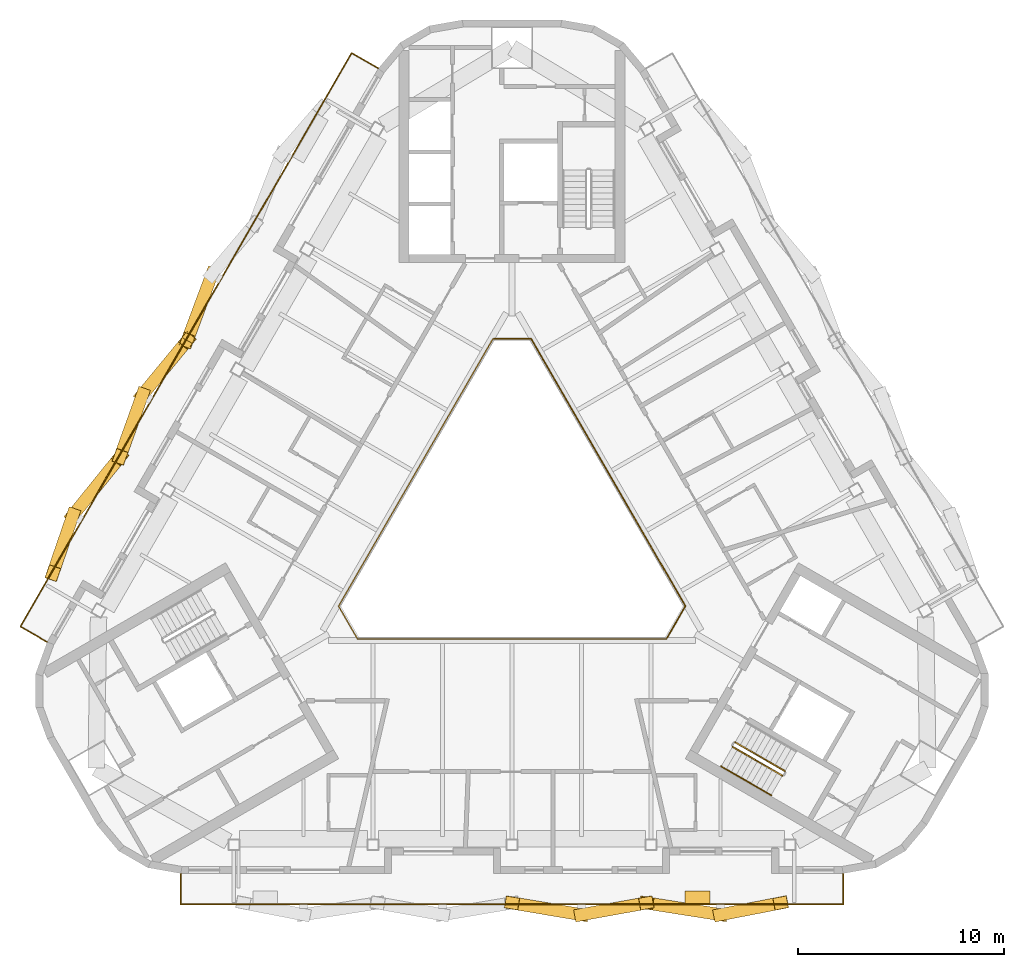
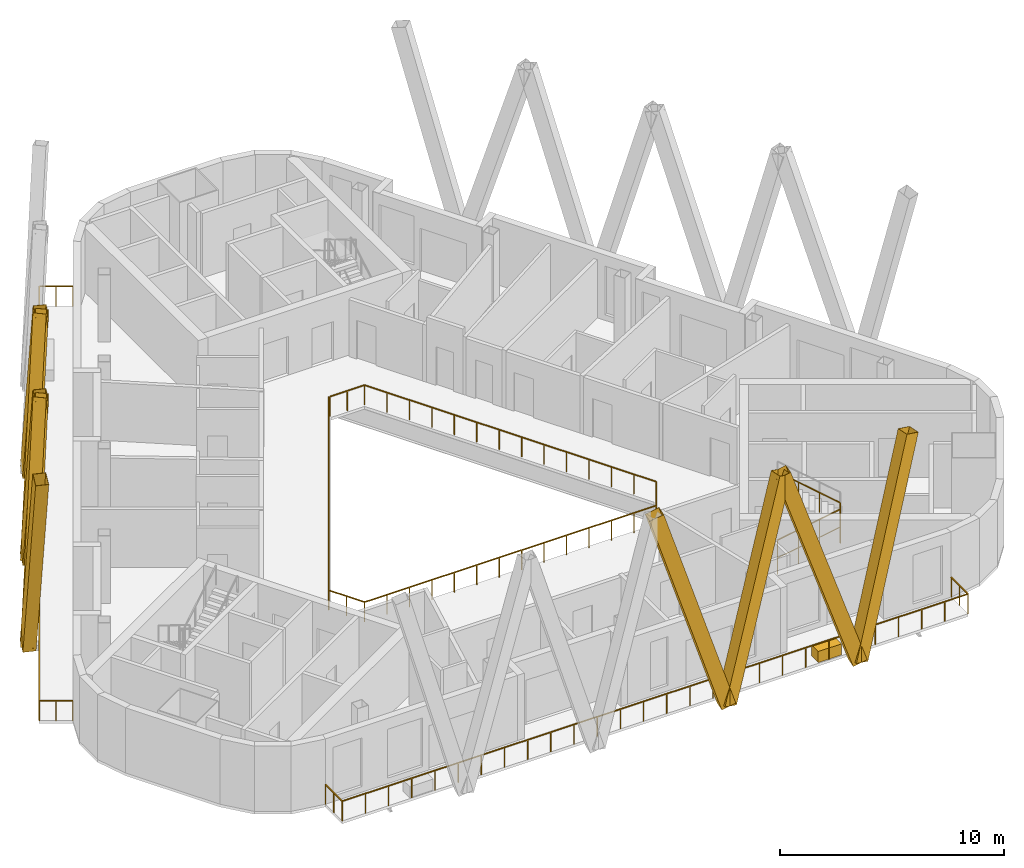
# One storey, part 10 of 12: 9 shading devices, 7 railings, 1 covering.
"""IFC4 building model written with IfcOpenShell, lengths in metres."""

import ifcopenshell
import ifcopenshell.guid

model = None  # the IFC model being written
_history = None  # IfcOwnerHistory: only IFC2X3 demands one
_inside = {}  # id of a spatial element -> (the spatial element, [elements in it])
_under = {}  # id of a project, library or spatial element -> (it, [spatial elements below it])
_declared = {}  # id of a project -> (the project, [libraries it declares])
_typed = {}  # id of a type object -> (the type object, [elements of that type])
_made_of = {}  # id of a material, layer set ... -> (it, [elements and type objects made of it])


def new_model(schema):
    """Start an empty IFC model of exactly this schema.

    Asked for "IFC4X3", IfcOpenShell would pick the latest addendum, in which some entities
    have other attributes; the version numbers below select the first issue.
    IFC2X3 requires an IfcOwnerHistory on every rooted entity: one is made here for all.
    """
    global model, _history
    if schema == "IFC4X3":
        model = ifcopenshell.file(schema_version=(4, 3, 0, 0))
    else:
        model = ifcopenshell.file(schema=schema)
    _inside.clear()
    _under.clear()
    _declared.clear()
    _typed.clear()
    _made_of.clear()
    _history = None
    if model.schema == "IFC2X3":
        org = make("IfcOrganization", Name="unknown")
        user = make(
            "IfcPersonAndOrganization",
            ThePerson=make("IfcPerson", FamilyName="unknown"),
            TheOrganization=org,
        )
        app = make(
            "IfcApplication",
            ApplicationDeveloper=org,
            Version="unknown",
            ApplicationFullName="unknown",
            ApplicationIdentifier="unknown",
        )
        _history = make(
            "IfcOwnerHistory",
            OwningUser=user,
            OwningApplication=app,
            ChangeAction="ADDED",
            CreationDate=0,
        )
    return model


def make(cls, **values):
    """One entity of the class cls with the attributes given. An attribute that is None is left unset."""
    return model.create_entity(
        cls, **{name: value for name, value in values.items() if value is not None}
    )


def rooted(cls, **values):
    """An entity with a GlobalId (a new one), such as an element, a storey or a relation."""
    return make(cls, GlobalId=ifcopenshell.guid.new(), OwnerHistory=_history, **values)


def si_unit(unit_type, name, prefix=None):
    """IfcSIUnit, for example si_unit("LENGTHUNIT", "METRE", prefix="MILLI")."""
    return make("IfcSIUnit", UnitType=unit_type, Prefix=prefix, Name=name)


def assignment(units):
    """IfcUnitAssignment: the units of a project."""
    return None if units is None else make("IfcUnitAssignment", Units=units)


def point(xyz):
    """IfcCartesianPoint."""
    return None if xyz is None else make("IfcCartesianPoint", Coordinates=xyz)


def direction(xyz):
    """IfcDirection."""
    return None if xyz is None else make("IfcDirection", DirectionRatios=xyz)


def frame(location, z_axis=None, x_axis=None):
    """IfcAxis2Placement3D, a coordinate frame: its origin and axes. An axis left out is left unset."""
    return make(
        "IfcAxis2Placement3D",
        Location=point(location),
        Axis=direction(z_axis),
        RefDirection=direction(x_axis),
    )


def frame_2d(location, x_axis=None):
    """IfcAxis2Placement2D, a coordinate frame in the plane: its origin and x axis."""
    return make(
        "IfcAxis2Placement2D", Location=point(location), RefDirection=direction(x_axis)
    )


def origin():
    """The frame at (0, 0, 0) with its axes left unset."""
    return frame((0.0, 0.0, 0.0))


def origin_2d():
    """The frame at (0, 0) in the plane with its x axis left unset."""
    return frame_2d((0.0, 0.0))


def place(relative_to, where):
    """IfcLocalPlacement: puts the frame where relative to a parent placement (None: the world)."""
    return make(
        "IfcLocalPlacement", PlacementRelTo=relative_to, RelativePlacement=where
    )


def context(
    kind, dimensions, precision=None, world=None, true_north=None, identifier=None
):
    """IfcGeometricRepresentationContext, for example the 3D "Model" context."""
    return make(
        "IfcGeometricRepresentationContext",
        ContextIdentifier=identifier,
        ContextType=kind,
        CoordinateSpaceDimension=dimensions,
        Precision=precision,
        WorldCoordinateSystem=world,
        TrueNorth=true_north,
    )


def subcontext(parent, identifier, kind, view, scale=None):
    """IfcGeometricRepresentationSubContext, for example "Body" below "Model"."""
    return make(
        "IfcGeometricRepresentationSubContext",
        ContextIdentifier=identifier,
        ContextType=kind,
        ParentContext=parent,
        TargetScale=scale,
        TargetView=view,
    )


def project(units=None, contexts=None):
    """IfcProject with its units and contexts."""
    return rooted(
        "IfcProject",
        Name="project",
        RepresentationContexts=contexts,
        UnitsInContext=assignment(units),
    )


def spatial(cls, under=None, at=None, **own):
    """A site, building, storey or space (cls), placed at a placement, below another one or the project."""
    s = rooted(cls, ObjectPlacement=at, **own)
    if under is not None:
        _under.setdefault(under.id(), (under, []))[1].append(s)
    return s


def profile(cls, at=None, kind="AREA", **sizes):
    """A parametric profile (cls). Its sizes go by their IFC names, for example OverallWidth=200.0."""
    return make(cls, ProfileType=kind, Position=at, **sizes)


def rectangle(**sizes):
    """IfcRectangleProfileDef."""
    return profile("IfcRectangleProfileDef", **sizes)


def hollow_rectangle(**sizes):
    """IfcRectangleHollowProfileDef."""
    return profile("IfcRectangleHollowProfileDef", **sizes)


def circle(**sizes):
    """IfcCircleProfileDef."""
    return profile("IfcCircleProfileDef", **sizes)


def extrude(swept, where, along, depth):
    """IfcExtrudedAreaSolid: the profile swept, set in the frame where, extruded along a direction by depth."""
    return make(
        "IfcExtrudedAreaSolid",
        SweptArea=swept,
        Position=where,
        ExtrudedDirection=direction(along),
        Depth=depth,
    )


def shape(context_of_items, identifier, shape_type, items):
    """IfcShapeRepresentation: the items that make up one representation, for example the "Body"."""
    return make(
        "IfcShapeRepresentation",
        ContextOfItems=context_of_items,
        RepresentationIdentifier=identifier,
        RepresentationType=shape_type,
        Items=items,
    )


def material(Name=None, Category=None):
    """IfcMaterial."""
    return make("IfcMaterial", Name=Name, Category=Category)


def material_profile(
    of_material, cross_section, Name=None, Category=None, Priority=None
):
    """IfcMaterialProfile: a cross section and its material."""
    return make(
        "IfcMaterialProfile",
        Name=Name,
        Material=of_material,
        Profile=cross_section,
        Priority=Priority,
        Category=Category,
    )


def profile_set(profiles, Name=None, composite=None):
    """IfcMaterialProfileSet."""
    return make(
        "IfcMaterialProfileSet",
        Name=Name,
        MaterialProfiles=profiles,
        CompositeProfile=composite,
    )


def made_of(thing, what):
    """Note that an element or type object is made of a material, layer set ...; save() writes the relation."""
    if what is not None:
        _made_of.setdefault(what.id(), (what, []))[1].append(thing)
    return thing


def type_object(cls, material=None, **own):
    """A type object (cls), such as IfcWallType, which elements share."""
    return made_of(rooted(cls, **own), material)


def element(
    cls,
    number,
    at=None,
    inside=None,
    cuts=None,
    type_object=None,
    material=None,
    context=None,
    identifier="Body",
    shape_type=None,
    held_by="IfcProductDefinitionShape",
    body=None,
    shapes=None,
    **own,
):
    """One element of the class cls, such as IfcWall. Its Tag is "e" and its number.

    at: its placement. inside: the storey or other place that contains it. cuts: it is an
    opening in that element (IfcRelVoidsElement). A single representation is given by context,
    identifier, shape_type and body (its items); several are given by shapes. held_by: the class
    of the entity that holds the representations. save() writes the other relations.
    """
    e = rooted(cls, Tag="e%d" % number, ObjectPlacement=at, **own)
    if body is not None:
        shapes = [shape(context, identifier, shape_type, body)]
    if shapes is not None:
        e.Representation = make(held_by, Representations=shapes)
    if inside is not None:
        _inside.setdefault(inside.id(), (inside, []))[1].append(e)
    if cuts is not None:
        rooted(
            "IfcRelVoidsElement", RelatingBuildingElement=cuts, RelatedOpeningElement=e
        )
    if type_object is not None:
        _typed.setdefault(type_object.id(), (type_object, []))[1].append(e)
    return made_of(e, material)


def aggregate(whole, parts):
    """IfcRelAggregates: a whole, such as a stair, and the parts it consists of."""
    return rooted("IfcRelAggregates", RelatingObject=whole, RelatedObjects=parts)


def save(model, path):
    """Write the relations noted so far, then the file.

    IfcRelAggregates (storeys below a building ...), IfcRelContainedInSpatialStructure (elements
    in a storey), IfcRelDefinesByType, IfcRelAssociatesMaterial and IfcRelDeclares: one each for
    every whole, place, type object, material and project.
    """
    for whole, parts in _under.values():
        aggregate(whole, parts)
    for where, things in _inside.values():
        rooted(
            "IfcRelContainedInSpatialStructure",
            RelatedElements=things,
            RelatingStructure=where,
        )
    for kind, things in _typed.values():
        rooted("IfcRelDefinesByType", RelatedObjects=things, RelatingType=kind)
    for what, things in _made_of.values():
        rooted("IfcRelAssociatesMaterial", RelatedObjects=things, RelatingMaterial=what)
    for by, libraries in _declared.values():
        rooted("IfcRelDeclares", RelatingContext=by, RelatedDefinitions=libraries)
    model.write(path)


model = new_model("IFC4")

# Units and contexts
model_context = context("Model", 3, precision=1e-05, world=origin(), true_north=direction((0.0, 1.0)))
body_context = subcontext(model_context, "Body", "Model", "MODEL_VIEW")
ifc_project = project(units=[si_unit("LENGTHUNIT", "METRE"), si_unit("AREAUNIT", "SQUARE_METRE"), si_unit("VOLUMEUNIT", "CUBIC_METRE"), si_unit("PLANEANGLEUNIT", "RADIAN"), si_unit("MASSUNIT", "GRAM", prefix="KILO")], contexts=[model_context])

# Site, building, storey
site_placement = place(None, origin())
site = spatial("IfcSite", under=ifc_project, at=site_placement, CompositionType="ELEMENT")
building_placement = place(site_placement, origin())
building = spatial("IfcBuilding", under=site, at=building_placement, Name="Apuvela Tower Hotel", CompositionType="ELEMENT")
storey_placement = place(building_placement, frame((0.0, 0.0, 302.199951171875)))
storey = spatial("IfcBuildingStorey", under=building, at=storey_placement, Name="L75", CompositionType="ELEMENT", Elevation=302.199951171875)

# Railings
ifc_material_1 = material(Name="Steel S275 balustrade", Category="steel")
railing_type_1 = type_object("IfcRailingType", Name="COR-GUARD-1100", PredefinedType="GUARDRAIL", material=ifc_material_1)
railing_1_placement = place(storey_placement, frame((10.718994140625, -10.63427734375, 0.168212890625)))
element("IfcRailing", 1, at=railing_1_placement, inside=storey, type_object=railing_type_1, Name="L75 ST3 stair guard 1", PredefinedType="GUARDRAIL", context=body_context, shape_type="SweptSolid", body=[
    extrude(rectangle(XDim=0.048095703125, YDim=0.048095703125, at=origin_2d()), frame((0.0, 0.0, 1.076171875), z_axis=(0.742390482028, -0.42860119049, 0.514934356695), x_axis=(0.49998411664, 0.866034573852, 0.0)), (0.0, 0.0, 1.0), 3.26611328125),
    extrude(rectangle(XDim=0.0419921875, YDim=0.0419921875, at=origin_2d()), origin(), (0.0, 0.0, 1.0), 1.052001953125),
    extrude(rectangle(XDim=0.0419921875, YDim=0.0419921875, at=origin_2d()), frame((0.808349609375, -0.466552734375, 0.560546875)), (0.0, 0.0, 1.0), 1.052001953125),
    extrude(rectangle(XDim=0.0419921875, YDim=0.0419921875, at=origin_2d()), frame((1.616455078125, -0.933349609375, 1.121337890625)), (0.0, 0.0, 1.0), 1.052001953125),
    extrude(rectangle(XDim=0.0419921875, YDim=0.0419921875, at=origin_2d()), frame((2.4248046875, -1.39990234375, 1.681884765625)), (0.0, 0.0, 1.0), 1.052001953125),
])
railing_2_placement = place(storey_placement, frame((13.268798828125, -11.817626953125, 2.018310546875)))
element("IfcRailing", 2, at=railing_2_placement, inside=storey, type_object=railing_type_1, Name="L75 ST3 stair guard 3", PredefinedType="GUARDRAIL", context=body_context, shape_type="SweptSolid", body=[
    extrude(rectangle(XDim=0.048095703125, YDim=0.048095703125, at=origin_2d()), frame((0.0, 0.0, 1.076171875), z_axis=(-0.74241905619, 0.428617687091, 0.514879426), x_axis=(-0.49998411664, -0.866034573852, 0.0)), (0.0, 0.0, 1.0), 3.26611328125),
    extrude(rectangle(XDim=0.0419921875, YDim=0.0419921875, at=origin_2d()), origin(), (0.0, 0.0, 1.0), 1.052001953125),
    extrude(rectangle(XDim=0.0419921875, YDim=0.0419921875, at=origin_2d()), frame((-0.808349609375, 0.466552734375, 0.560546875)), (0.0, 0.0, 1.0), 1.052001953125),
    extrude(rectangle(XDim=0.0419921875, YDim=0.0419921875, at=origin_2d()), frame((-1.616455078125, 0.933349609375, 1.12109375)), (0.0, 0.0, 1.0), 1.052001953125),
    extrude(rectangle(XDim=0.0419921875, YDim=0.0419921875, at=origin_2d()), frame((-2.4248046875, 1.39990234375, 1.681640625)), (0.0, 0.0, 1.0), 1.052001953125),
])
ifc_material_2 = material(Name="Stainless steel 316 handrail", Category="steel")
railing_type_2 = type_object("IfcRailingType", Name="COR-HANDRAIL-900", PredefinedType="HANDRAIL", material=ifc_material_2)
railing_3_placement = place(storey_placement, frame((10.1689453125, -11.5869140625, 0.168212890625)))
element("IfcRailing", 3, at=railing_3_placement, inside=storey, type_object=railing_type_2, Name="L75 ST3 stair handrail 1", PredefinedType="HANDRAIL", context=body_context, shape_type="SweptSolid", body=[
    extrude(circle(Radius=0.02392578125, at=origin_2d()), frame((0.0, 0.0, 0.8759765625), z_axis=(0.742390482028, -0.42860119049, 0.514934356695), x_axis=(0.49998411664, 0.866034573852, 0.0)), (0.0, 0.0, 1.0), 3.26611328125),
    extrude(rectangle(XDim=0.0419921875, YDim=0.0419921875, at=origin_2d()), origin(), (0.0, 0.0, 1.0), 0.851806640625),
    extrude(rectangle(XDim=0.0419921875, YDim=0.0419921875, at=origin_2d()), frame((0.808349609375, -0.466552734375, 0.560546875)), (0.0, 0.0, 1.0), 0.851806640625),
    extrude(rectangle(XDim=0.0419921875, YDim=0.0419921875, at=origin_2d()), frame((1.616455078125, -0.933349609375, 1.121337890625)), (0.0, 0.0, 1.0), 0.851806640625),
    extrude(rectangle(XDim=0.0419921875, YDim=0.0419921875, at=origin_2d()), frame((2.4248046875, -1.39990234375, 1.681884765625)), (0.0, 0.0, 1.0), 0.851806640625),
])

# Shading devices
ifc_material_3 = material(Name="Aluminium 6063-T6, black anodised", Category="aluminium")
ifc_material_profile = material_profile(ifc_material_3, hollow_rectangle(XDim=0.60009765625, YDim=0.699951171875, WallThickness=0.011962890625, at=origin_2d()), Name="AL BOX 700x600x12")
ifc_profile_set = profile_set([ifc_material_profile], Name="Aluminium 6063-T6, black anodised")
shading_device_type = type_object("IfcShadingDeviceType", Name="ENV-FIN-700x600", PredefinedType="USERDEFINED", material=ifc_profile_set)
shading_device_1_placement = place(storey_placement, frame((3.37939453125, -18.794677734375, -0.099853515625), z_axis=(-0.29090724775, 0.048820801656, 0.95550484171), x_axis=(-0.165508034258, -0.986208441759, 0.0)))
element("IfcShadingDevice", 4, at=shading_device_1_placement, inside=storey, type_object=shading_device_type, Name="Lattice fin S637", ObjectType="FIN", PredefinedType="USERDEFINED", context=body_context, shape_type="SweptSolid", body=[
    extrude(hollow_rectangle(XDim=0.60009765625, YDim=0.699951171875, WallThickness=0.011962890625, at=origin_2d()), origin(), (0.0, 0.0, 1.0), 11.61669921875),
])
shading_device_2_placement = place(storey_placement, frame((3.37939453125, -18.794677734375, -0.099853515625), z_axis=(0.272787362394, 0.049092426622, 0.960820997151), x_axis=(-0.177120502638, 0.984189172642, 0.0)))
element("IfcShadingDevice", 5, at=shading_device_2_placement, inside=storey, type_object=shading_device_type, Name="Lattice fin S638", ObjectType="FIN", PredefinedType="USERDEFINED", context=body_context, shape_type="SweptSolid", body=[
    extrude(hollow_rectangle(XDim=0.60009765625, YDim=0.699951171875, WallThickness=0.011962890625, at=origin_2d()), origin(), (0.0, 0.0, 1.0), 11.552490234375),
])
shading_device_3_placement = place(storey_placement, frame((10.13818359375, -18.794677734375, -0.099853515625), z_axis=(-0.308719444667, 0.048535142797, 0.949914019477), x_axis=(-0.155306806884, -0.98786628434, 0.0)))
element("IfcShadingDevice", 6, at=shading_device_3_placement, inside=storey, type_object=shading_device_type, Name="Lattice fin S639", ObjectType="FIN", PredefinedType="USERDEFINED", context=body_context, shape_type="SweptSolid", body=[
    extrude(hollow_rectangle(XDim=0.60009765625, YDim=0.699951171875, WallThickness=0.011962890625, at=origin_2d()), origin(), (0.0, 0.0, 1.0), 11.68505859375),
])
shading_device_4_placement = place(storey_placement, frame((10.13818359375, -18.794677734375, -0.099853515625), z_axis=(0.254352614293, 0.049349463209, 0.965851633577), x_axis=(-0.190468033427, 0.981693398288, 0.0)))
element("IfcShadingDevice", 7, at=shading_device_4_placement, inside=storey, type_object=shading_device_type, Name="Lattice fin S640", ObjectType="FIN", PredefinedType="USERDEFINED", context=body_context, shape_type="SweptSolid", body=[
    extrude(hollow_rectangle(XDim=0.60009765625, YDim=0.699951171875, WallThickness=0.011962890625, at=origin_2d()), origin(), (0.0, 0.0, 1.0), 11.4921875),
])
for number, where, z_axis, x_axis, name in (
    (8, (-14.5869140625, 12.323974609375, -0.099853515625), (-0.103168947098, -0.276343142267, 0.955505434875), (0.936840580907, -0.349756666794, 0.0), "Lattice fin NW696"),
    (9, (-17.96630859375, 6.470703125, -0.099853515625), (0.187738220747, 0.227521994606, 0.955504109066), (-0.771319065559, 0.636448661799, 0.0), "Lattice fin NW697"),
):
    element("IfcShadingDevice", number, at=place(storey_placement, frame(where, z_axis=z_axis, x_axis=x_axis)), inside=storey, type_object=shading_device_type, Name=name, ObjectType="FIN", PredefinedType="USERDEFINED", context=body_context, shape_type="SweptSolid", body=[
        extrude(hollow_rectangle(XDim=0.60009765625, YDim=0.699951171875, WallThickness=0.011962890625, at=origin_2d()), origin(), (0.0, 0.0, 1.0), 11.61669921875),
    ])
shading_device_5_placement = place(storey_placement, frame((-17.96630859375, 6.470703125, -0.099853515625), z_axis=(-0.09387380237, -0.260784043505, 0.960822247808), x_axis=(0.940897131448, -0.338692468225, 0.0)))
element("IfcShadingDevice", 10, at=shading_device_5_placement, inside=storey, type_object=shading_device_type, Name="Lattice fin NW698", ObjectType="FIN", PredefinedType="USERDEFINED", context=body_context, shape_type="SweptSolid", body=[
    extrude(hollow_rectangle(XDim=0.60009765625, YDim=0.699951171875, WallThickness=0.011962890625, at=origin_2d()), origin(), (0.0, 0.0, 1.0), 11.552490234375),
])
shading_device_6_placement = place(storey_placement, frame((-21.345703125, 0.6171875, -0.099853515625), z_axis=(0.196395762307, 0.243112881936, 0.949907801413), x_axis=(-0.777885876447, 0.628405572242, 0.0)))
element("IfcShadingDevice", 11, at=shading_device_6_placement, inside=storey, type_object=shading_device_type, Name="Lattice fin NW699", ObjectType="FIN", PredefinedType="USERDEFINED", context=body_context, shape_type="SweptSolid", body=[
    extrude(hollow_rectangle(XDim=0.60009765625, YDim=0.699951171875, WallThickness=0.011962890625, at=origin_2d()), origin(), (0.0, 0.0, 1.0), 11.685302734375),
])
shading_device_7_placement = place(storey_placement, frame((-21.345703125, 0.6171875, -0.099853515625), z_axis=(-0.084444446708, -0.244942005167, 0.965853275361), x_axis=(0.945394763347, -0.32592750948, 0.0)))
element("IfcShadingDevice", 12, at=shading_device_7_placement, inside=storey, type_object=shading_device_type, Name="Lattice fin NW700", ObjectType="FIN", PredefinedType="USERDEFINED", context=body_context, shape_type="SweptSolid", body=[
    extrude(hollow_rectangle(XDim=0.60009765625, YDim=0.699951171875, WallThickness=0.011962890625, at=origin_2d()), origin(), (0.0, 0.0, 1.0), 11.4921875),
])

# Railings
ifc_material_4 = material(Name="Stainless steel 316 rail with laminated glass infill", Category="steel")
railing_type_3 = type_object("IfcRailingType", Name="ENV-GUARD-1100", PredefinedType="GUARDRAIL", material=ifc_material_4)
railing_4_placement = place(storey_placement, frame((-16.097900390625, -16.794677734375, 0.0)))
element("IfcRailing", 13, at=railing_4_placement, inside=storey, type_object=railing_type_3, Name="Balcony guard S L75", PredefinedType="GUARDRAIL", context=body_context, shape_type="SweptSolid", body=[
    extrude(rectangle(XDim=0.050048828125, YDim=0.050048828125, at=origin_2d()), frame((0.0, 0.0, 1.0751953125), z_axis=(0.0, -1.0, 0.0), x_axis=(1.0, 0.0, 0.0)), (0.0, 0.0, 1.0), 1.5),
    extrude(rectangle(XDim=0.050048828125, YDim=0.050048828125, at=origin_2d()), frame((0.0, -1.5, 1.0751953125), z_axis=(1.0, 0.0, 0.0), x_axis=(0.0, 1.0, 0.0)), (0.0, 0.0, 1.0), 32.19580078125),
    extrude(rectangle(XDim=0.050048828125, YDim=0.050048828125, at=origin_2d()), frame((32.19580078125, -1.5, 1.0751953125), z_axis=(0.0, 1.0, 0.0), x_axis=(-1.0, 0.0, 0.0)), (0.0, 0.0, 1.0), 1.5),
    extrude(rectangle(XDim=0.0400390625, YDim=0.0400390625, at=origin_2d()), origin(), (0.0, 0.0, 1.0), 1.050048828125),
    extrude(rectangle(XDim=0.0400390625, YDim=0.0400390625, at=origin_2d()), frame((0.0, -0.75, 0.0)), (0.0, 0.0, 1.0), 1.050048828125),
    extrude(rectangle(XDim=0.0400390625, YDim=0.0400390625, at=origin_2d()), frame((0.0, -1.5, 0.0)), (0.0, 0.0, 1.0), 1.050048828125),
    extrude(rectangle(XDim=0.0400390625, YDim=0.0400390625, at=origin_2d()), frame((1.1923828125, -1.5, 0.0)), (0.0, 0.0, 1.0), 1.050048828125),
    extrude(rectangle(XDim=0.0400390625, YDim=0.0400390625, at=origin_2d()), frame((2.384765625, -1.5, 0.0)), (0.0, 0.0, 1.0), 1.050048828125),
    extrude(rectangle(XDim=0.0400390625, YDim=0.0400390625, at=origin_2d()), frame((3.577392578125, -1.5, 0.0)), (0.0, 0.0, 1.0), 1.050048828125),
    extrude(rectangle(XDim=0.0400390625, YDim=0.0400390625, at=origin_2d()), frame((4.769775390625, -1.5, 0.0)), (0.0, 0.0, 1.0), 1.050048828125),
    extrude(rectangle(XDim=0.0400390625, YDim=0.0400390625, at=origin_2d()), frame((5.962158203125, -1.5, 0.0)), (0.0, 0.0, 1.0), 1.050048828125),
    extrude(rectangle(XDim=0.0400390625, YDim=0.0400390625, at=origin_2d()), frame((7.154541015625, -1.5, 0.0)), (0.0, 0.0, 1.0), 1.050048828125),
    extrude(rectangle(XDim=0.0400390625, YDim=0.0400390625, at=origin_2d()), frame((8.34716796875, -1.5, 0.0)), (0.0, 0.0, 1.0), 1.050048828125),
    extrude(rectangle(XDim=0.0400390625, YDim=0.0400390625, at=origin_2d()), frame((9.53955078125, -1.5, 0.0)), (0.0, 0.0, 1.0), 1.050048828125),
    extrude(rectangle(XDim=0.0400390625, YDim=0.0400390625, at=origin_2d()), frame((10.73193359375, -1.5, 0.0)), (0.0, 0.0, 1.0), 1.050048828125),
    extrude(rectangle(XDim=0.0400390625, YDim=0.0400390625, at=origin_2d()), frame((11.92431640625, -1.5, 0.0)), (0.0, 0.0, 1.0), 1.050048828125),
    extrude(rectangle(XDim=0.0400390625, YDim=0.0400390625, at=origin_2d()), frame((13.11669921875, -1.5, 0.0)), (0.0, 0.0, 1.0), 1.050048828125),
    extrude(rectangle(XDim=0.0400390625, YDim=0.0400390625, at=origin_2d()), frame((14.309326171875, -1.5, 0.0)), (0.0, 0.0, 1.0), 1.050048828125),
    extrude(rectangle(XDim=0.0400390625, YDim=0.0400390625, at=origin_2d()), frame((15.501708984375, -1.5, 0.0)), (0.0, 0.0, 1.0), 1.050048828125),
    extrude(rectangle(XDim=0.0400390625, YDim=0.0400390625, at=origin_2d()), frame((16.694091796875, -1.5, 0.0)), (0.0, 0.0, 1.0), 1.050048828125),
    extrude(rectangle(XDim=0.0400390625, YDim=0.0400390625, at=origin_2d()), frame((17.886474609375, -1.5, 0.0)), (0.0, 0.0, 1.0), 1.050048828125),
    extrude(rectangle(XDim=0.0400390625, YDim=0.0400390625, at=origin_2d()), frame((19.0791015625, -1.5, 0.0)), (0.0, 0.0, 1.0), 1.050048828125),
    extrude(rectangle(XDim=0.0400390625, YDim=0.0400390625, at=origin_2d()), frame((20.271484375, -1.5, 0.0)), (0.0, 0.0, 1.0), 1.050048828125),
    extrude(rectangle(XDim=0.0400390625, YDim=0.0400390625, at=origin_2d()), frame((21.4638671875, -1.5, 0.0)), (0.0, 0.0, 1.0), 1.050048828125),
    extrude(rectangle(XDim=0.0400390625, YDim=0.0400390625, at=origin_2d()), frame((22.65625, -1.5, 0.0)), (0.0, 0.0, 1.0), 1.050048828125),
    extrude(rectangle(XDim=0.0400390625, YDim=0.0400390625, at=origin_2d()), frame((23.8486328125, -1.5, 0.0)), (0.0, 0.0, 1.0), 1.050048828125),
    extrude(rectangle(XDim=0.0400390625, YDim=0.0400390625, at=origin_2d()), frame((25.041259765625, -1.5, 0.0)), (0.0, 0.0, 1.0), 1.050048828125),
    extrude(rectangle(XDim=0.0400390625, YDim=0.0400390625, at=origin_2d()), frame((26.233642578125, -1.5, 0.0)), (0.0, 0.0, 1.0), 1.050048828125),
    extrude(rectangle(XDim=0.0400390625, YDim=0.0400390625, at=origin_2d()), frame((27.426025390625, -1.5, 0.0)), (0.0, 0.0, 1.0), 1.050048828125),
    extrude(rectangle(XDim=0.0400390625, YDim=0.0400390625, at=origin_2d()), frame((28.618408203125, -1.5, 0.0)), (0.0, 0.0, 1.0), 1.050048828125),
    extrude(rectangle(XDim=0.0400390625, YDim=0.0400390625, at=origin_2d()), frame((29.81103515625, -1.5, 0.0)), (0.0, 0.0, 1.0), 1.050048828125),
    extrude(rectangle(XDim=0.0400390625, YDim=0.0400390625, at=origin_2d()), frame((31.00341796875, -1.5, 0.0)), (0.0, 0.0, 1.0), 1.050048828125),
    extrude(rectangle(XDim=0.0400390625, YDim=0.0400390625, at=origin_2d()), frame((32.19580078125, -1.5, 0.0)), (0.0, 0.0, 1.0), 1.050048828125),
    extrude(rectangle(XDim=0.0400390625, YDim=0.0400390625, at=origin_2d()), frame((32.19580078125, -0.75, 0.0)), (0.0, 0.0, 1.0), 1.050048828125),
    extrude(rectangle(XDim=0.0400390625, YDim=0.0400390625, at=origin_2d()), frame((32.19580078125, 0.0, 0.0)), (0.0, 0.0, 1.0), 1.050048828125),
])
railing_5_placement = place(storey_placement, frame((-6.49560546875, 22.338623046875, 0.0)))
element("IfcRailing", 14, at=railing_5_placement, inside=storey, type_object=railing_type_3, Name="Balcony guard NW L75", PredefinedType="GUARDRAIL", context=body_context, shape_type="SweptSolid", body=[
    extrude(rectangle(XDim=0.050048828125, YDim=0.050048828125, at=origin_2d()), frame((0.0, 0.0, 1.0751953125), z_axis=(-0.86599040064, 0.500060622324, 0.0), x_axis=(-0.500060622324, -0.86599040064, 0.0)), (0.0, 0.0, 1.0), 1.499755859375),
    extrude(rectangle(XDim=0.050048828125, YDim=0.050048828125, at=origin_2d()), frame((-1.298828125, 0.75, 1.0751953125), z_axis=(-0.500003172353, -0.866023572218, 0.0), x_axis=(0.866023572218, -0.500003172353, 0.0)), (0.0, 0.0, 1.0), 32.196044921875),
    extrude(rectangle(XDim=0.050048828125, YDim=0.050048828125, at=origin_2d()), frame((-17.39697265625, -27.132568359375, 1.0751953125), z_axis=(0.866031096941, -0.499990139034, 0.0), x_axis=(0.499990139034, 0.866031096941, 0.0)), (0.0, 0.0, 1.0), 1.5),
    extrude(rectangle(XDim=0.0400390625, YDim=0.0400390625, at=origin_2d()), origin(), (0.0, 0.0, 1.0), 1.050048828125),
    extrude(rectangle(XDim=0.0400390625, YDim=0.0400390625, at=origin_2d()), frame((-0.6494140625, 0.375, 0.0)), (0.0, 0.0, 1.0), 1.050048828125),
    extrude(rectangle(XDim=0.0400390625, YDim=0.0400390625, at=origin_2d()), frame((-1.298828125, 0.75, 0.0)), (0.0, 0.0, 1.0), 1.050048828125),
    extrude(rectangle(XDim=0.0400390625, YDim=0.0400390625, at=origin_2d()), frame((-1.89501953125, -0.28271484375, 0.0)), (0.0, 0.0, 1.0), 1.050048828125),
    extrude(rectangle(XDim=0.0400390625, YDim=0.0400390625, at=origin_2d()), frame((-2.4912109375, -1.3154296875, 0.0)), (0.0, 0.0, 1.0), 1.050048828125),
    extrude(rectangle(XDim=0.0400390625, YDim=0.0400390625, at=origin_2d()), frame((-3.08740234375, -2.34814453125, 0.0)), (0.0, 0.0, 1.0), 1.050048828125),
    extrude(rectangle(XDim=0.0400390625, YDim=0.0400390625, at=origin_2d()), frame((-3.683837890625, -3.380859375, 0.0)), (0.0, 0.0, 1.0), 1.050048828125),
    extrude(rectangle(XDim=0.0400390625, YDim=0.0400390625, at=origin_2d()), frame((-4.280029296875, -4.413330078125, 0.0)), (0.0, 0.0, 1.0), 1.050048828125),
    extrude(rectangle(XDim=0.0400390625, YDim=0.0400390625, at=origin_2d()), frame((-4.876220703125, -5.446044921875, 0.0)), (0.0, 0.0, 1.0), 1.050048828125),
    extrude(rectangle(XDim=0.0400390625, YDim=0.0400390625, at=origin_2d()), frame((-5.472412109375, -6.478759765625, 0.0)), (0.0, 0.0, 1.0), 1.050048828125),
    extrude(rectangle(XDim=0.0400390625, YDim=0.0400390625, at=origin_2d()), frame((-6.068603515625, -7.511474609375, 0.0)), (0.0, 0.0, 1.0), 1.050048828125),
    extrude(rectangle(XDim=0.0400390625, YDim=0.0400390625, at=origin_2d()), frame((-6.664794921875, -8.544189453125, 0.0)), (0.0, 0.0, 1.0), 1.050048828125),
    extrude(rectangle(XDim=0.0400390625, YDim=0.0400390625, at=origin_2d()), frame((-7.260986328125, -9.576904296875, 0.0)), (0.0, 0.0, 1.0), 1.050048828125),
    extrude(rectangle(XDim=0.0400390625, YDim=0.0400390625, at=origin_2d()), frame((-7.857421875, -10.609619140625, 0.0)), (0.0, 0.0, 1.0), 1.050048828125),
    extrude(rectangle(XDim=0.0400390625, YDim=0.0400390625, at=origin_2d()), frame((-8.45361328125, -11.642333984375, 0.0)), (0.0, 0.0, 1.0), 1.050048828125),
    extrude(rectangle(XDim=0.0400390625, YDim=0.0400390625, at=origin_2d()), frame((-9.0498046875, -12.675048828125, 0.0)), (0.0, 0.0, 1.0), 1.050048828125),
    extrude(rectangle(XDim=0.0400390625, YDim=0.0400390625, at=origin_2d()), frame((-9.64599609375, -13.70751953125, 0.0)), (0.0, 0.0, 1.0), 1.050048828125),
    extrude(rectangle(XDim=0.0400390625, YDim=0.0400390625, at=origin_2d()), frame((-10.2421875, -14.740234375, 0.0)), (0.0, 0.0, 1.0), 1.050048828125),
    extrude(rectangle(XDim=0.0400390625, YDim=0.0400390625, at=origin_2d()), frame((-10.83837890625, -15.77294921875, 0.0)), (0.0, 0.0, 1.0), 1.050048828125),
    extrude(rectangle(XDim=0.0400390625, YDim=0.0400390625, at=origin_2d()), frame((-11.434814453125, -16.8056640625, 0.0)), (0.0, 0.0, 1.0), 1.050048828125),
    extrude(rectangle(XDim=0.0400390625, YDim=0.0400390625, at=origin_2d()), frame((-12.031005859375, -17.83837890625, 0.0)), (0.0, 0.0, 1.0), 1.050048828125),
    extrude(rectangle(XDim=0.0400390625, YDim=0.0400390625, at=origin_2d()), frame((-12.627197265625, -18.87109375, 0.0)), (0.0, 0.0, 1.0), 1.050048828125),
    extrude(rectangle(XDim=0.0400390625, YDim=0.0400390625, at=origin_2d()), frame((-13.223388671875, -19.90380859375, 0.0)), (0.0, 0.0, 1.0), 1.050048828125),
    extrude(rectangle(XDim=0.0400390625, YDim=0.0400390625, at=origin_2d()), frame((-13.819580078125, -20.9365234375, 0.0)), (0.0, 0.0, 1.0), 1.050048828125),
    extrude(rectangle(XDim=0.0400390625, YDim=0.0400390625, at=origin_2d()), frame((-14.415771484375, -21.96923828125, 0.0)), (0.0, 0.0, 1.0), 1.050048828125),
    extrude(rectangle(XDim=0.0400390625, YDim=0.0400390625, at=origin_2d()), frame((-15.011962890625, -23.001708984375, 0.0)), (0.0, 0.0, 1.0), 1.050048828125),
    extrude(rectangle(XDim=0.0400390625, YDim=0.0400390625, at=origin_2d()), frame((-15.6083984375, -24.034423828125, 0.0)), (0.0, 0.0, 1.0), 1.050048828125),
    extrude(rectangle(XDim=0.0400390625, YDim=0.0400390625, at=origin_2d()), frame((-16.20458984375, -25.067138671875, 0.0)), (0.0, 0.0, 1.0), 1.050048828125),
    extrude(rectangle(XDim=0.0400390625, YDim=0.0400390625, at=origin_2d()), frame((-16.80078125, -26.099853515625, 0.0)), (0.0, 0.0, 1.0), 1.050048828125),
    extrude(rectangle(XDim=0.0400390625, YDim=0.0400390625, at=origin_2d()), frame((-17.39697265625, -27.132568359375, 0.0)), (0.0, 0.0, 1.0), 1.050048828125),
    extrude(rectangle(XDim=0.0400390625, YDim=0.0400390625, at=origin_2d()), frame((-16.74755859375, -27.507568359375, 0.0)), (0.0, 0.0, 1.0), 1.050048828125),
    extrude(rectangle(XDim=0.0400390625, YDim=0.0400390625, at=origin_2d()), frame((-16.097900390625, -27.882568359375, 0.0)), (0.0, 0.0, 1.0), 1.050048828125),
])
railing_6_placement = place(storey_placement, frame((-0.923828125, 9.199951171875, 0.0)))
element("IfcRailing", 15, at=railing_6_placement, inside=storey, type_object=railing_type_3, Name="Atrium void guard A L75", PredefinedType="GUARDRAIL", context=body_context, shape_type="SweptSolid", body=[
    extrude(rectangle(XDim=0.050048828125, YDim=0.050048828125, at=origin_2d()), frame((0.0, 0.0, 1.0751953125), z_axis=(-0.499990886379, -0.866030665472, 0.0), x_axis=(0.866030665472, -0.499990886379, 0.0)), (0.0, 0.0, 1.0), 15.010986328125),
    extrude(rectangle(XDim=0.050048828125, YDim=0.050048828125, at=origin_2d()), frame((-7.50537109375, -13.0, 1.0751953125), z_axis=(0.499962699187, -0.866046938348, 0.0), x_axis=(0.866046938348, 0.499962699187, 0.0)), (0.0, 0.0, 1.0), 1.847412109375),
    extrude(rectangle(XDim=0.050048828125, YDim=0.050048828125, at=origin_2d()), frame((-6.581787109375, -14.599853515625, 1.0751953125), z_axis=(1.0, 0.0, 0.0), x_axis=(0.0, 1.0, 0.0)), (0.0, 0.0, 1.0), 15.01123046875),
    extrude(rectangle(XDim=0.0400390625, YDim=0.0400390625, at=origin_2d()), origin(), (0.0, 0.0, 1.0), 1.050048828125),
    extrude(rectangle(XDim=0.0400390625, YDim=0.0400390625, at=origin_2d()), frame((-0.577392578125, -1.0, 0.0)), (0.0, 0.0, 1.0), 1.050048828125),
    extrude(rectangle(XDim=0.0400390625, YDim=0.0400390625, at=origin_2d()), frame((-1.15478515625, -2.0, 0.0)), (0.0, 0.0, 1.0), 1.050048828125),
    extrude(rectangle(XDim=0.0400390625, YDim=0.0400390625, at=origin_2d()), frame((-1.73193359375, -3.0, 0.0)), (0.0, 0.0, 1.0), 1.050048828125),
    extrude(rectangle(XDim=0.0400390625, YDim=0.0400390625, at=origin_2d()), frame((-2.309326171875, -4.0, 0.0)), (0.0, 0.0, 1.0), 1.050048828125),
    extrude(rectangle(XDim=0.0400390625, YDim=0.0400390625, at=origin_2d()), frame((-2.88671875, -5.0, 0.0)), (0.0, 0.0, 1.0), 1.050048828125),
    extrude(rectangle(XDim=0.0400390625, YDim=0.0400390625, at=origin_2d()), frame((-3.464111328125, -6.0, 0.0)), (0.0, 0.0, 1.0), 1.050048828125),
    extrude(rectangle(XDim=0.0400390625, YDim=0.0400390625, at=origin_2d()), frame((-4.041259765625, -7.0, 0.0)), (0.0, 0.0, 1.0), 1.050048828125),
    extrude(rectangle(XDim=0.0400390625, YDim=0.0400390625, at=origin_2d()), frame((-4.61865234375, -8.0, 0.0)), (0.0, 0.0, 1.0), 1.050048828125),
    extrude(rectangle(XDim=0.0400390625, YDim=0.0400390625, at=origin_2d()), frame((-5.196044921875, -9.0, 0.0)), (0.0, 0.0, 1.0), 1.050048828125),
    extrude(rectangle(XDim=0.0400390625, YDim=0.0400390625, at=origin_2d()), frame((-5.7734375, -10.0, 0.0)), (0.0, 0.0, 1.0), 1.050048828125),
    extrude(rectangle(XDim=0.0400390625, YDim=0.0400390625, at=origin_2d()), frame((-6.3505859375, -11.0, 0.0)), (0.0, 0.0, 1.0), 1.050048828125),
    extrude(rectangle(XDim=0.0400390625, YDim=0.0400390625, at=origin_2d()), frame((-6.927978515625, -12.0, 0.0)), (0.0, 0.0, 1.0), 1.050048828125),
    extrude(rectangle(XDim=0.0400390625, YDim=0.0400390625, at=origin_2d()), frame((-7.50537109375, -13.0, 0.0)), (0.0, 0.0, 1.0), 1.050048828125),
    extrude(rectangle(XDim=0.0400390625, YDim=0.0400390625, at=origin_2d()), frame((-7.04345703125, -13.7998046875, 0.0)), (0.0, 0.0, 1.0), 1.050048828125),
    extrude(rectangle(XDim=0.0400390625, YDim=0.0400390625, at=origin_2d()), frame((-6.581787109375, -14.599853515625, 0.0)), (0.0, 0.0, 1.0), 1.050048828125),
    extrude(rectangle(XDim=0.0400390625, YDim=0.0400390625, at=origin_2d()), frame((-5.427001953125, -14.599853515625, 0.0)), (0.0, 0.0, 1.0), 1.050048828125),
    extrude(rectangle(XDim=0.0400390625, YDim=0.0400390625, at=origin_2d()), frame((-4.2724609375, -14.599853515625, 0.0)), (0.0, 0.0, 1.0), 1.050048828125),
    extrude(rectangle(XDim=0.0400390625, YDim=0.0400390625, at=origin_2d()), frame((-3.11767578125, -14.599853515625, 0.0)), (0.0, 0.0, 1.0), 1.050048828125),
    extrude(rectangle(XDim=0.0400390625, YDim=0.0400390625, at=origin_2d()), frame((-1.962890625, -14.599853515625, 0.0)), (0.0, 0.0, 1.0), 1.050048828125),
    extrude(rectangle(XDim=0.0400390625, YDim=0.0400390625, at=origin_2d()), frame((-0.808349609375, -14.599853515625, 0.0)), (0.0, 0.0, 1.0), 1.050048828125),
    extrude(rectangle(XDim=0.0400390625, YDim=0.0400390625, at=origin_2d()), frame((0.346435546875, -14.599853515625, 0.0)), (0.0, 0.0, 1.0), 1.050048828125),
    extrude(rectangle(XDim=0.0400390625, YDim=0.0400390625, at=origin_2d()), frame((1.501220703125, -14.599853515625, 0.0)), (0.0, 0.0, 1.0), 1.050048828125),
    extrude(rectangle(XDim=0.0400390625, YDim=0.0400390625, at=origin_2d()), frame((2.656005859375, -14.599853515625, 0.0)), (0.0, 0.0, 1.0), 1.050048828125),
    extrude(rectangle(XDim=0.0400390625, YDim=0.0400390625, at=origin_2d()), frame((3.810546875, -14.599853515625, 0.0)), (0.0, 0.0, 1.0), 1.050048828125),
    extrude(rectangle(XDim=0.0400390625, YDim=0.0400390625, at=origin_2d()), frame((4.96533203125, -14.599853515625, 0.0)), (0.0, 0.0, 1.0), 1.050048828125),
    extrude(rectangle(XDim=0.0400390625, YDim=0.0400390625, at=origin_2d()), frame((6.1201171875, -14.599853515625, 0.0)), (0.0, 0.0, 1.0), 1.050048828125),
    extrude(rectangle(XDim=0.0400390625, YDim=0.0400390625, at=origin_2d()), frame((7.274658203125, -14.599853515625, 0.0)), (0.0, 0.0, 1.0), 1.050048828125),
    extrude(rectangle(XDim=0.0400390625, YDim=0.0400390625, at=origin_2d()), frame((8.429443359375, -14.599853515625, 0.0)), (0.0, 0.0, 1.0), 1.050048828125),
])
railing_7_placement = place(storey_placement, frame((7.53564453125, -5.347900390625, 0.0)))
element("IfcRailing", 16, at=railing_7_placement, inside=storey, type_object=railing_type_3, Name="Atrium void guard B L75", PredefinedType="GUARDRAIL", context=body_context, shape_type="SweptSolid", body=[
    extrude(rectangle(XDim=0.050048828125, YDim=0.050048828125, at=origin_2d()), frame((0.0, 0.0, 1.0751953125), z_axis=(0.499958946799, 0.866049104564, 0.0), x_axis=(-0.866049104564, 0.499958946799, 0.0)), (0.0, 0.0, 1.0), 1.787353515625),
    extrude(rectangle(XDim=0.050048828125, YDim=0.050048828125, at=origin_2d()), frame((0.8935546875, 1.5478515625, 1.0751953125), z_axis=(-0.499990886379, 0.866030665472, 0.0), x_axis=(-0.866030665472, -0.499990886379, 0.0)), (0.0, 0.0, 1.0), 15.010986328125),
    extrude(rectangle(XDim=0.050048828125, YDim=0.050048828125, at=origin_2d()), frame((-6.61181640625, 14.5478515625, 1.0751953125), z_axis=(-1.0, 0.0, 0.0), x_axis=(0.0, -1.0, 0.0)), (0.0, 0.0, 1.0), 1.78759765625),
    extrude(rectangle(XDim=0.0400390625, YDim=0.0400390625, at=origin_2d()), origin(), (0.0, 0.0, 1.0), 1.050048828125),
    extrude(rectangle(XDim=0.0400390625, YDim=0.0400390625, at=origin_2d()), frame((0.44677734375, 0.77392578125, 0.0)), (0.0, 0.0, 1.0), 1.050048828125),
    extrude(rectangle(XDim=0.0400390625, YDim=0.0400390625, at=origin_2d()), frame((0.8935546875, 1.5478515625, 0.0)), (0.0, 0.0, 1.0), 1.050048828125),
    extrude(rectangle(XDim=0.0400390625, YDim=0.0400390625, at=origin_2d()), frame((0.316162109375, 2.5478515625, 0.0)), (0.0, 0.0, 1.0), 1.050048828125),
    extrude(rectangle(XDim=0.0400390625, YDim=0.0400390625, at=origin_2d()), frame((-0.26123046875, 3.5478515625, 0.0)), (0.0, 0.0, 1.0), 1.050048828125),
    extrude(rectangle(XDim=0.0400390625, YDim=0.0400390625, at=origin_2d()), frame((-0.83837890625, 4.5478515625, 0.0)), (0.0, 0.0, 1.0), 1.050048828125),
    extrude(rectangle(XDim=0.0400390625, YDim=0.0400390625, at=origin_2d()), frame((-1.415771484375, 5.5478515625, 0.0)), (0.0, 0.0, 1.0), 1.050048828125),
    extrude(rectangle(XDim=0.0400390625, YDim=0.0400390625, at=origin_2d()), frame((-1.9931640625, 6.5478515625, 0.0)), (0.0, 0.0, 1.0), 1.050048828125),
    extrude(rectangle(XDim=0.0400390625, YDim=0.0400390625, at=origin_2d()), frame((-2.570556640625, 7.5478515625, 0.0)), (0.0, 0.0, 1.0), 1.050048828125),
    extrude(rectangle(XDim=0.0400390625, YDim=0.0400390625, at=origin_2d()), frame((-3.147705078125, 8.5478515625, 0.0)), (0.0, 0.0, 1.0), 1.050048828125),
    extrude(rectangle(XDim=0.0400390625, YDim=0.0400390625, at=origin_2d()), frame((-3.72509765625, 9.5478515625, 0.0)), (0.0, 0.0, 1.0), 1.050048828125),
    extrude(rectangle(XDim=0.0400390625, YDim=0.0400390625, at=origin_2d()), frame((-4.302490234375, 10.5478515625, 0.0)), (0.0, 0.0, 1.0), 1.050048828125),
    extrude(rectangle(XDim=0.0400390625, YDim=0.0400390625, at=origin_2d()), frame((-4.8798828125, 11.5478515625, 0.0)), (0.0, 0.0, 1.0), 1.050048828125),
    extrude(rectangle(XDim=0.0400390625, YDim=0.0400390625, at=origin_2d()), frame((-5.45703125, 12.5478515625, 0.0)), (0.0, 0.0, 1.0), 1.050048828125),
    extrude(rectangle(XDim=0.0400390625, YDim=0.0400390625, at=origin_2d()), frame((-6.034423828125, 13.5478515625, 0.0)), (0.0, 0.0, 1.0), 1.050048828125),
    extrude(rectangle(XDim=0.0400390625, YDim=0.0400390625, at=origin_2d()), frame((-6.61181640625, 14.5478515625, 0.0)), (0.0, 0.0, 1.0), 1.050048828125),
    extrude(rectangle(XDim=0.0400390625, YDim=0.0400390625, at=origin_2d()), frame((-7.505615234375, 14.5478515625, 0.0)), (0.0, 0.0, 1.0), 1.050048828125),
    extrude(rectangle(XDim=0.0400390625, YDim=0.0400390625, at=origin_2d()), frame((-8.3994140625, 14.5478515625, 0.0)), (0.0, 0.0, 1.0), 1.050048828125),
])

# Covering
ifc_material_5 = material(Name="Planting substrate and soil, planted")
covering_type = type_object("IfcCoveringType", Name="ENV-PLANTER-1200x600", PredefinedType="USERDEFINED", material=ifc_material_5)
covering_placement = place(storey_placement, frame((9.020263671875, -17.944580078125, 0.0), z_axis=(0.0, 0.0, 1.0), x_axis=(1.0, 0.0, 0.0)))
element("IfcCovering", 17, at=covering_placement, inside=storey, type_object=covering_type, Name="Planter S2", ObjectType="PLANTER", PredefinedType="USERDEFINED", context=body_context, shape_type="SweptSolid", body=[
    extrude(rectangle(XDim=1.199951171875, YDim=0.60009765625, at=origin_2d()), origin(), (0.0, 0.0, 1.0), 0.60009765625),
])

save(model, "model.ifc")
